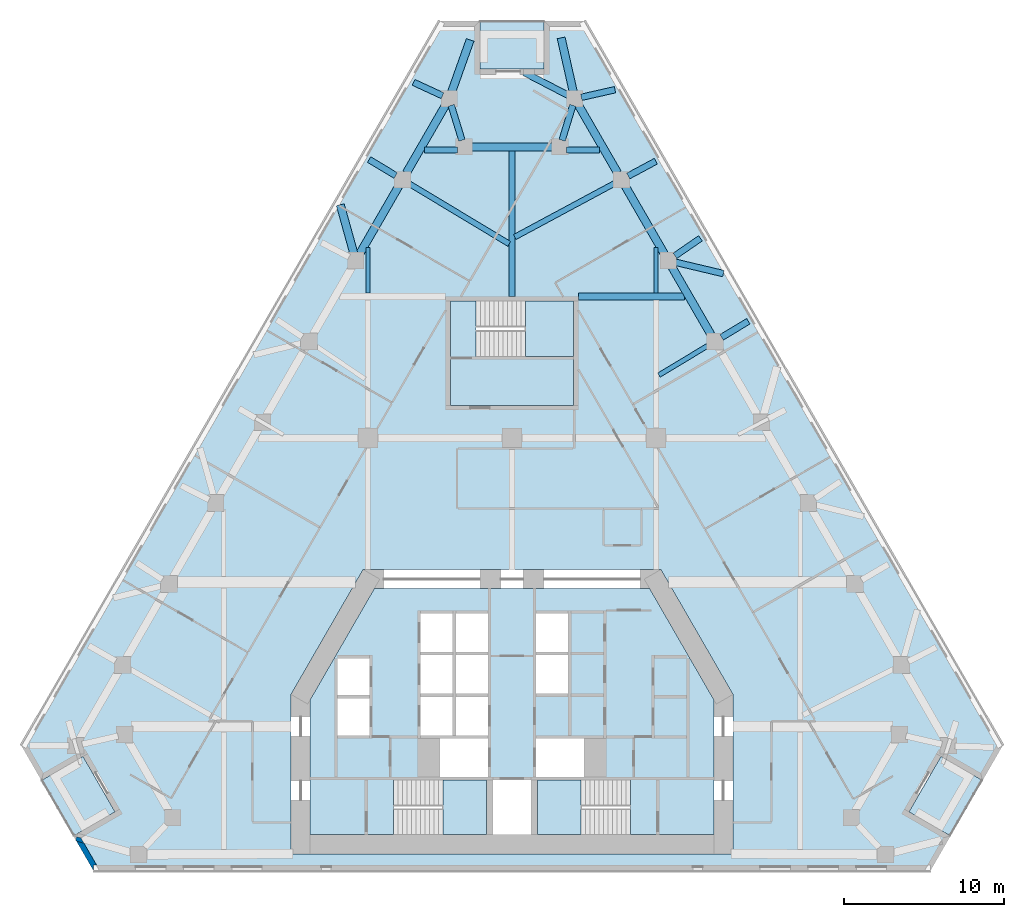
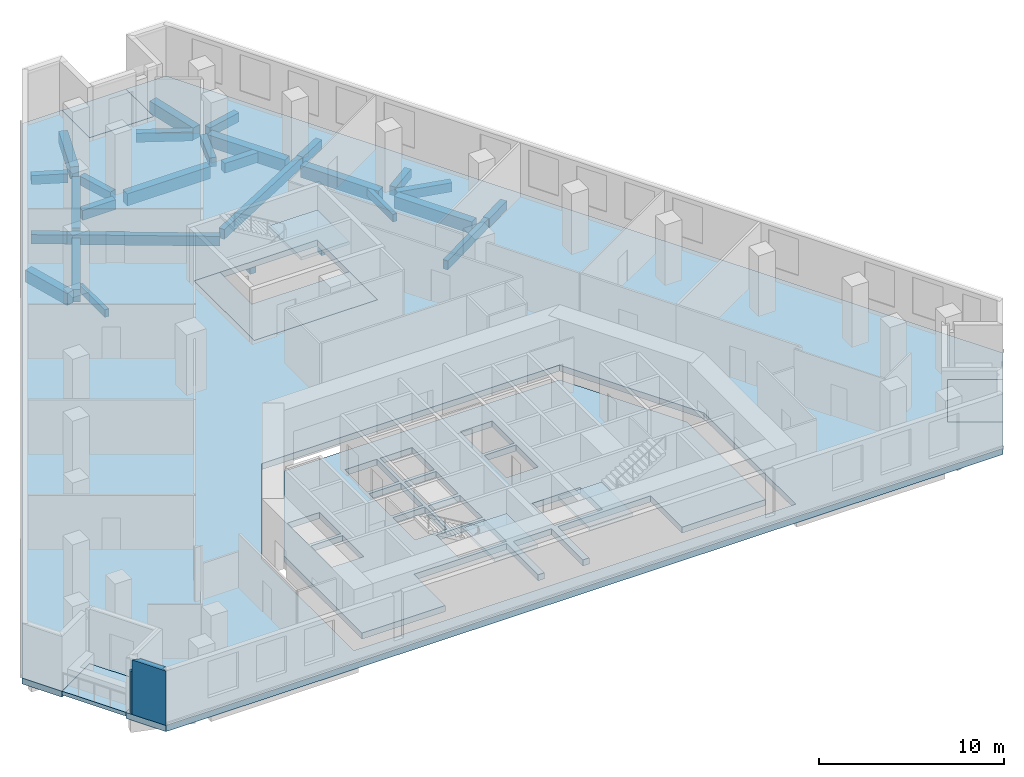
# One storey, part 2 of 9: 28 beams, 9 slabs, 2 walls, 3 elements without a shape of their own.
"""IFC4 building model written with IfcOpenShell, lengths in metres."""

from ifc_helpers import new_model, si_unit, direction, frame, origin, origin_2d, place, context, subcontext, project, spatial, polyline, rectangle, outline, extrude, material, layer, layer_set, material_profile, profile_set, type_object, element, aggregate, save


model = new_model("IFC4")

# Units and contexts
model_context = context("Model", 3, precision=1e-05, world=origin(), true_north=direction((0.0, 1.0)))
body_context = subcontext(model_context, "Body", "Model", "MODEL_VIEW")
ifc_project = project(units=[si_unit("LENGTHUNIT", "METRE"), si_unit("AREAUNIT", "SQUARE_METRE"), si_unit("VOLUMEUNIT", "CUBIC_METRE"), si_unit("PLANEANGLEUNIT", "RADIAN"), si_unit("MASSUNIT", "GRAM", prefix="KILO")], contexts=[model_context])

# Site, building, storey
site_placement = place(None, origin())
site = spatial("IfcSite", under=ifc_project, at=site_placement, CompositionType="ELEMENT")
building_placement = place(site_placement, origin())
building = spatial("IfcBuilding", under=site, at=building_placement, Name="Fogline Exchange Tower", CompositionType="ELEMENT")
storey_placement = place(building_placement, frame((0.0, 0.0, 104.10009765625)))
storey = spatial("IfcBuildingStorey", under=building, at=storey_placement, Name="L22", CompositionType="ELEMENT", Elevation=104.10009765625)

# Beams
ifc_material_1 = material(Name="Concrete C40", Category="concrete")
ifc_material_profile_1 = material_profile(ifc_material_1, rectangle(XDim=0.300048828125, YDim=0.60009765625, at=origin_2d()), Name="RC 300x600")
ifc_profile_set_1 = profile_set([ifc_material_profile_1], Name="Concrete C40")
beam_type_1 = type_object("IfcBeamType", Name="B06", PredefinedType="BEAM", material=ifc_profile_set_1)
beam_1_placement = place(storey_placement, frame((13.195068359375, 33.3623046875, -0.7001953125), z_axis=(-0.856403380279, -0.516307321513, 0.0), x_axis=(0.516307321513, -0.856403380279, 0.0)))
element("IfcBeam", 1, at=beam_1_placement, inside=storey, type_object=beam_type_1, Name="SK018", PredefinedType="BEAM", context=body_context, shape_type="SweptSolid", body=[
    extrude(rectangle(XDim=0.300048828125, YDim=0.60009765625, at=origin_2d()), origin(), (0.0, 0.0, 1.0), 4.694091796875),
])
ifc_material_profile_2 = material_profile(ifc_material_1, rectangle(XDim=0.25, YDim=0.5, at=origin_2d()), Name="RC 250x500")
ifc_profile_set_2 = profile_set([ifc_material_profile_2], Name="Concrete C40")
beam_type_2 = type_object("IfcBeamType", Name="B08", PredefinedType="BEAM", material=ifc_profile_set_2)
for number, where, z_axis, x_axis, name in (
    (2, (-9.0, 36.08203125, -0.650146484375), (0.0, 1.0, 0.0), (-1.0, 0.0, 0.0), "SB006"),
    (3, (9.0, 36.08203125, -0.650146484375), (0.0, 1.0, 0.0), (-1.0, 0.0, 0.0), "SB011"),
):
    element("IfcBeam", number, at=place(storey_placement, frame(where, z_axis=z_axis, x_axis=x_axis)), inside=storey, type_object=beam_type_2, Name=name, PredefinedType="BEAM", context=body_context, shape_type="SweptSolid", body=[
        extrude(rectangle(XDim=0.25, YDim=0.5, at=origin_2d()), origin(), (0.0, 0.0, 1.0), 2.8203125),
    ])
ifc_material_profile_3 = material_profile(ifc_material_1, rectangle(XDim=0.5, YDim=0.800048828125, at=origin_2d()), Name="RC 500x800")
ifc_profile_set_3 = profile_set([ifc_material_profile_3], Name="Concrete C40")
beam_type_3 = type_object("IfcBeamType", Name="B10", PredefinedType="BEAM", material=ifc_profile_set_3)
beam_2_placement = place(storey_placement, frame((12.427001953125, 33.466796875, -0.800048828125), z_axis=(-0.500008041581, 0.866020760926, 0.0), x_axis=(-0.866020760926, -0.500008041581, 0.0)))
element("IfcBeam", 4, at=beam_2_placement, inside=storey, type_object=beam_type_3, Name="RB014", PredefinedType="BEAM", context=body_context, shape_type="SweptSolid", body=[
    extrude(rectangle(XDim=0.5, YDim=0.800048828125, at=origin_2d()), origin(), (0.0, 0.0, 1.0), 4.859375),
])
for number, where, z_axis, x_axis, name in (
    (5, (9.510986328125, 38.51708984375, -0.800048828125), (-0.499970359091, 0.866042516295, 0.0), (-0.866042516295, -0.499970359091, 0.0), "RB015"),
    (6, (6.59521484375, 43.5673828125, -0.800048828125), (-0.499970359091, 0.866042516295, 0.0), (-0.866042516295, -0.499970359091, 0.0), "RB016"),
):
    element("IfcBeam", number, at=place(storey_placement, frame(where, z_axis=z_axis, x_axis=x_axis)), inside=storey, type_object=beam_type_3, Name=name, PredefinedType="BEAM", context=body_context, shape_type="SweptSolid", body=[
        extrude(rectangle(XDim=0.5, YDim=0.800048828125, at=origin_2d()), origin(), (0.0, 0.0, 1.0), 4.859130859375),
    ])
beam_3_placement = place(storey_placement, frame((2.594970703125, 45.19677734375, -0.800048828125), z_axis=(-1.0, 0.0, 0.0), x_axis=(0.0, -1.0, 0.0)))
element("IfcBeam", 7, at=beam_3_placement, inside=storey, type_object=beam_type_3, Name="RB018", PredefinedType="BEAM", context=body_context, shape_type="SweptSolid", body=[
    extrude(rectangle(XDim=0.5, YDim=0.800048828125, at=origin_2d()), origin(), (0.0, 0.0, 1.0), 5.18994140625),
])
for number, where, z_axis, x_axis, name in (
    (8, (-4.165771484375, 47.775634765625, -0.800048828125), (-0.499970359091, -0.866042516295, 0.0), (0.866042516295, -0.499970359091, 0.0), "RB020"),
    (9, (-7.08154296875, 42.725341796875, -0.800048828125), (-0.499970359091, -0.866042516295, 0.0), (0.866042516295, -0.499970359091, 0.0), "RB021"),
):
    element("IfcBeam", number, at=place(storey_placement, frame(where, z_axis=z_axis, x_axis=x_axis)), inside=storey, type_object=beam_type_3, Name=name, PredefinedType="BEAM", context=body_context, shape_type="SweptSolid", body=[
        extrude(rectangle(XDim=0.5, YDim=0.800048828125, at=origin_2d()), origin(), (0.0, 0.0, 1.0), 4.859130859375),
    ])
beam_4_placement = place(storey_placement, frame((-3.77587890625, 48.608642578125, -0.800048828125), z_axis=(0.335684205637, 0.941974582505, 0.0), x_axis=(-0.941974582505, 0.335684205637, 0.0)))
element("IfcBeam", 10, at=beam_4_placement, inside=storey, type_object=beam_type_3, Name="SP028", PredefinedType="BEAM", context=body_context, shape_type="SweptSolid", body=[
    extrude(rectangle(XDim=0.5, YDim=0.800048828125, at=origin_2d()), origin(), (0.0, 0.0, 1.0), 3.462646484375),
])
beam_5_placement = place(storey_placement, frame((3.831298828125, 48.6044921875, -0.800048828125), z_axis=(-0.218823104655, 0.975764545815, 0.0), x_axis=(-0.975764545815, -0.218823104655, 0.0)))
element("IfcBeam", 11, at=beam_5_placement, inside=storey, type_object=beam_type_3, Name="SP029", PredefinedType="BEAM", context=body_context, shape_type="SweptSolid", body=[
    extrude(rectangle(XDim=0.5, YDim=0.800048828125, at=origin_2d()), origin(), (0.0, 0.0, 1.0), 3.482177734375),
])
beam_6_placement = place(storey_placement, frame((-9.8681640625, 38.50537109375, -0.800048828125), z_axis=(-0.267865092627, 0.963456429815, 0.0), x_axis=(-0.963456429815, -0.267865092627, 0.0)))
element("IfcBeam", 12, at=beam_6_placement, inside=storey, type_object=beam_type_3, Name="SP056", PredefinedType="BEAM", context=body_context, shape_type="SweptSolid", body=[
    extrude(rectangle(XDim=0.5, YDim=0.800048828125, at=origin_2d()), origin(), (0.0, 0.0, 1.0), 3.187255859375),
])
ifc_material_profile_4 = material_profile(ifc_material_1, rectangle(XDim=0.39990234375, YDim=0.60009765625, at=origin_2d()), Name="RC 400x600")
ifc_profile_set_4 = profile_set([ifc_material_profile_4], Name="Concrete C40")
beam_type_4 = type_object("IfcBeamType", Name="B11", PredefinedType="BEAM", material=ifc_profile_set_4)
for number, where, z_axis, x_axis, name in (
    (13, (3.79638671875, 47.786376953125, -0.7001953125), (-0.293912792425, -0.9558322397, 0.0), (0.9558322397, -0.293912792425, 0.0), "RB017"),
    (14, (-3.126220703125, 45.60693359375, -0.7001953125), (-0.293912792425, 0.9558322397, 0.0), (-0.9558322397, -0.293912792425, 0.0), "RB019"),
):
    element("IfcBeam", number, at=place(storey_placement, frame(where, z_axis=z_axis, x_axis=x_axis)), inside=storey, type_object=beam_type_4, Name=name, PredefinedType="BEAM", context=body_context, shape_type="SweptSolid", body=[
        extrude(rectangle(XDim=0.39990234375, YDim=0.60009765625, at=origin_2d()), origin(), (0.0, 0.0, 1.0), 2.2802734375),
    ])
beam_7_placement = place(storey_placement, frame((3.504150390625, 48.4140625, -0.7001953125), z_axis=(-0.887487365709, 0.460832047179, 0.0), x_axis=(-0.460832047179, -0.887487365709, 0.0)))
element("IfcBeam", 15, at=beam_7_placement, inside=storey, type_object=beam_type_4, Name="SP034", PredefinedType="BEAM", context=body_context, shape_type="SweptSolid", body=[
    extrude(rectangle(XDim=0.39990234375, YDim=0.60009765625, at=origin_2d()), origin(), (0.0, 0.0, 1.0), 3.0859375),
])
beam_8_placement = place(storey_placement, frame((-7.260498046875, 43.400390625, -0.7001953125), z_axis=(-0.856760264747, 0.515714890953, 0.0), x_axis=(-0.515714890953, -0.856760264747, 0.0)))
element("IfcBeam", 16, at=beam_8_placement, inside=storey, type_object=beam_type_4, Name="SP038", PredefinedType="BEAM", context=body_context, shape_type="SweptSolid", body=[
    extrude(rectangle(XDim=0.39990234375, YDim=0.60009765625, at=origin_2d()), origin(), (0.0, 0.0, 1.0), 1.94287109375),
])
beam_9_placement = place(storey_placement, frame((13.09228515625, 33.30029296875, -0.7001953125), z_axis=(0.85640422403, 0.516305921972, 0.0), x_axis=(-0.516305921972, 0.85640422403, 0.0)))
element("IfcBeam", 17, at=beam_9_placement, inside=storey, type_object=beam_type_4, Name="SP039", PredefinedType="BEAM", context=body_context, shape_type="SweptSolid", body=[
    extrude(rectangle(XDim=0.39990234375, YDim=0.60009765625, at=origin_2d()), origin(), (0.0, 0.0, 1.0), 1.942626953125),
])
beam_10_placement = place(storey_placement, frame((7.2578125, 43.371826171875, -0.7001953125), z_axis=(0.880782843366, 0.473520414377, 0.0), x_axis=(-0.473520414377, 0.880782843366, 0.0)))
element("IfcBeam", 18, at=beam_10_placement, inside=storey, type_object=beam_type_4, Name="SP040", PredefinedType="BEAM", context=body_context, shape_type="SweptSolid", body=[
    extrude(rectangle(XDim=0.39990234375, YDim=0.60009765625, at=origin_2d()), origin(), (0.0, 0.0, 1.0), 1.960205078125),
])
beam_11_placement = place(storey_placement, frame((10.180419921875, 38.389404296875, -0.7001953125), z_axis=(0.823553636513, 0.567238404718, 0.0), x_axis=(-0.567238404718, 0.823553636513, 0.0)))
element("IfcBeam", 19, at=beam_11_placement, inside=storey, type_object=beam_type_4, Name="SP048", PredefinedType="BEAM", context=body_context, shape_type="SweptSolid", body=[
    extrude(rectangle(XDim=0.39990234375, YDim=0.60009765625, at=origin_2d()), origin(), (0.0, 0.0, 1.0), 1.927001953125),
])
beam_12_placement = place(storey_placement, frame((-4.338623046875, 48.388671875, -0.7001953125), z_axis=(-0.908095838529, 0.418762400468, 0.0), x_axis=(-0.418762400468, -0.908095838529, 0.0)))
element("IfcBeam", 20, at=beam_12_placement, inside=storey, type_object=beam_type_4, Name="SP049", PredefinedType="BEAM", context=body_context, shape_type="SweptSolid", body=[
    extrude(rectangle(XDim=0.39990234375, YDim=0.60009765625, at=origin_2d()), origin(), (0.0, 0.0, 1.0), 1.9892578125),
])
beam_13_placement = place(storey_placement, frame((10.16259765625, 37.9990234375, -0.7001953125), z_axis=(0.9729539382, -0.230999208095, 0.0), x_axis=(0.230999208095, 0.9729539382, 0.0)))
element("IfcBeam", 21, at=beam_13_placement, inside=storey, type_object=beam_type_4, Name="SP054", PredefinedType="BEAM", context=body_context, shape_type="SweptSolid", body=[
    extrude(rectangle(XDim=0.39990234375, YDim=0.60009765625, at=origin_2d()), origin(), (0.0, 0.0, 1.0), 3.11669921875),
])
beam_14_placement = place(storey_placement, frame((4.33056640625, 48.288818359375, -0.7001953125), z_axis=(0.975402518888, 0.220431227704, 0.0), x_axis=(-0.220431227704, 0.975402518888, 0.0)))
element("IfcBeam", 22, at=beam_14_placement, inside=storey, type_object=beam_type_4, Name="SP060", PredefinedType="BEAM", context=body_context, shape_type="SweptSolid", body=[
    extrude(rectangle(XDim=0.39990234375, YDim=0.60009765625, at=origin_2d()), origin(), (0.0, 0.0, 1.0), 2.1552734375),
])
ifc_material_profile_5 = material_profile(ifc_material_1, rectangle(XDim=0.39990234375, YDim=0.64990234375, at=origin_2d()), Name="RC 400x650")
ifc_profile_set_5 = profile_set([ifc_material_profile_5], Name="Concrete C40")
beam_type_5 = type_object("IfcBeamType", Name="B13", PredefinedType="BEAM", material=ifc_profile_set_5)
for number, where, z_axis, x_axis, name in (
    (23, (-5.4794921875, 45.0, -0.72509765625), (1.0, 0.0, 0.0), (0.0, 1.0, 0.0), "GB011"),
    (24, (3.405029296875, 45.0, -0.72509765625), (1.0, 0.0, 0.0), (0.0, 1.0, 0.0), "GB012"),
):
    element("IfcBeam", number, at=place(storey_placement, frame(where, z_axis=z_axis, x_axis=x_axis)), inside=storey, type_object=beam_type_5, Name=name, PredefinedType="BEAM", context=body_context, shape_type="SweptSolid", body=[
        extrude(rectangle(XDim=0.39990234375, YDim=0.64990234375, at=origin_2d()), origin(), (0.0, 0.0, 1.0), 2.074462890625),
    ])
ifc_material_profile_6 = material_profile(ifc_material_1, rectangle(XDim=0.35009765625, YDim=0.64990234375, at=origin_2d()), Name="RC 350x650")
ifc_profile_set_6 = profile_set([ifc_material_profile_6], Name="Concrete C40")
beam_type_6 = type_object("IfcBeamType", Name="B16", PredefinedType="BEAM", material=ifc_profile_set_6)
beam_15_placement = place(storey_placement, frame((0.0, 35.85693359375, -0.72509765625), z_axis=(0.0, 1.0, 0.0), x_axis=(-1.0, 0.0, 0.0)))
element("IfcBeam", 25, at=beam_15_placement, inside=storey, type_object=beam_type_6, Name="SB008", PredefinedType="BEAM", context=body_context, shape_type="SweptSolid", body=[
    extrude(rectangle(XDim=0.35009765625, YDim=0.64990234375, at=origin_2d()), origin(), (0.0, 0.0, 1.0), 9.08984375),
])
beam_16_placement = place(storey_placement, frame((-7.36328125, 43.46240234375, -0.72509765625), z_axis=(0.85674487674, -0.515740454279, 0.0), x_axis=(0.515740454279, 0.85674487674, 0.0)))
element("IfcBeam", 26, at=beam_16_placement, inside=storey, type_object=beam_type_6, Name="SK017", PredefinedType="BEAM", context=body_context, shape_type="SweptSolid", body=[
    extrude(rectangle(XDim=0.35009765625, YDim=0.64990234375, at=origin_2d()), origin(), (0.0, 0.0, 1.0), 8.39013671875),
])
beam_17_placement = place(storey_placement, frame((7.36328125, 43.4287109375, -0.72509765625), z_axis=(-0.880757180515, -0.47356814607, 0.0), x_axis=(0.47356814607, -0.880757180515, 0.0)))
element("IfcBeam", 27, at=beam_17_placement, inside=storey, type_object=beam_type_6, Name="SK019", PredefinedType="BEAM", context=body_context, shape_type="SweptSolid", body=[
    extrude(rectangle(XDim=0.35009765625, YDim=0.64990234375, at=origin_2d()), origin(), (0.0, 0.0, 1.0), 8.161376953125),
])
ifc_material_profile_7 = material_profile(ifc_material_1, rectangle(XDim=0.449951171875, YDim=0.800048828125, at=origin_2d()), Name="RC 450x800")
ifc_profile_set_7 = profile_set([ifc_material_profile_7], Name="Concrete C40")
beam_type_7 = type_object("IfcBeamType", Name="B18", PredefinedType="BEAM", material=ifc_profile_set_7)
beam_18_placement = place(storey_placement, frame((4.14990234375, 35.85693359375, -0.800048828125), z_axis=(1.0, 0.0, 0.0), x_axis=(0.0, 1.0, 0.0)))
element("IfcBeam", 28, at=beam_18_placement, inside=storey, type_object=beam_type_7, Name="GB010", PredefinedType="BEAM", context=body_context, shape_type="SweptSolid", body=[
    extrude(rectangle(XDim=0.449951171875, YDim=0.800048828125, at=origin_2d()), origin(), (0.0, 0.0, 1.0), 6.6083984375),
])

# Slabs
ifc_layer_1 = layer(ifc_material_1, 0.25)
ifc_layer_set_1 = layer_set([ifc_layer_1], Name="DK1")
slab_type_1 = type_object("IfcSlabType", Name="DK1", PredefinedType="FLOOR", material=ifc_layer_set_1)
slab_1_placement = place(storey_placement, frame((0.0, 0.0, -0.25)))
element("IfcSlab", 29, at=slab_1_placement, inside=storey, type_object=slab_type_1, Name="Balcony L22 SW", PredefinedType="FLOOR", context=body_context, shape_type="SweptSolid", body=[
    extrude(outline(polyline([(-29.387939453125, 5.629150390625), (-27.387939453125, 2.1650390625), (-24.7900390625, 3.6650390625), (-26.7900390625, 7.129150390625), (-29.387939453125, 5.629150390625)])), origin(), (0.0, 0.0, 1.0), 0.25),
])
slab_2_placement = place(storey_placement, frame((0.0, 0.0, -0.25)))
element("IfcSlab", 30, at=slab_2_placement, inside=storey, type_object=slab_type_1, Name="Balcony L22 SE", PredefinedType="FLOOR", context=body_context, shape_type="SweptSolid", body=[
    extrude(outline(polyline([(27.387939453125, 2.1650390625), (29.387939453125, 5.629150390625), (26.7900390625, 7.129150390625), (24.7900390625, 3.6650390625), (27.387939453125, 2.1650390625)])), origin(), (0.0, 0.0, 1.0), 0.25),
])
slab_3_placement = place(storey_placement, frame((0.0, 0.0, -0.25)))
element("IfcSlab", 31, at=slab_3_placement, inside=storey, type_object=slab_type_1, Name="Balcony L22 N", PredefinedType="FLOOR", context=body_context, shape_type="SweptSolid", body=[
    extrude(outline(polyline([(2.0, 53.066650390625), (-2.0, 53.066650390625), (-2.0, 50.066650390625), (2.0, 50.066650390625), (2.0, 53.066650390625)])), origin(), (0.0, 0.0, 1.0), 0.25),
])
ifc_layer_2 = layer(ifc_material_1, 0.39990234375)
ifc_layer_set_2 = layer_set([ifc_layer_2], Name="S03")
slab_type_2 = type_object("IfcSlabType", Name="S03", PredefinedType="FLOOR", material=ifc_layer_set_2)
slab_4_placement = place(storey_placement, frame((0.0, 0.0, -0.400146484375)))
element("IfcSlab", 32, at=slab_4_placement, inside=storey, type_object=slab_type_2, Name="SLAB L22", PredefinedType="FLOOR", context=body_context, shape_type="SweptSolid", body=[
    extrude(outline(polyline([(-2.0, 53.066650390625), (-4.5, 53.066650390625), (-30.637939453125, 7.794189453125), (-29.387939453125, 5.629150390625), (-26.7900390625, 7.129150390625), (-24.7900390625, 3.6650390625), (-27.387939453125, 2.1650390625), (-26.137939453125, 0.0), (26.137939453125, 0.0), (27.387939453125, 2.1650390625), (24.7900390625, 3.6650390625), (26.7900390625, 7.129150390625), (29.387939453125, 5.629150390625), (30.637939453125, 7.794189453125), (4.5, 53.066650390625), (2.0, 53.066650390625), (2.0, 50.066650390625), (-2.0, 50.066650390625), (-2.0, 53.066650390625)]), holes=[polyline([(13.800048828125, 10.9990234375), (13.800048828125, 1.050048828125), (-13.800048828125, 1.050048828125), (-13.800048828125, 10.9990234375), (-9.296142578125, 18.800048828125), (9.296142578125, 18.800048828125), (13.800048828125, 10.9990234375)]), polyline([(3.85009765625, 35.556884765625), (3.85009765625, 29.056884765625), (-3.85009765625, 29.056884765625), (-3.85009765625, 35.556884765625), (3.85009765625, 35.556884765625)])]), origin(), (0.0, 0.0, 1.0), 0.400146484375),
])
slab_5_placement = place(storey_placement, frame((0.0, 0.0, -0.400146484375)))
element("IfcSlab", 33, at=slab_5_placement, inside=storey, type_object=slab_type_2, Name="Core floor slab", PredefinedType="FLOOR", context=body_context, shape_type="SweptSolid", body=[
    extrude(outline(polyline([(-12.60009765625, 2.25), (-12.60009765625, 10.677490234375), (-8.603271484375, 17.60009765625), (8.603271484375, 17.60009765625), (12.60009765625, 10.677490234375), (12.60009765625, 2.25), (7.389892578125, 2.25), (7.389892578125, 5.64990234375), (1.60009765625, 5.64990234375), (1.60009765625, 2.25), (1.199951171875, 2.25), (1.199951171875, 5.64990234375), (-1.199951171875, 5.64990234375), (-1.199951171875, 2.25), (-1.60009765625, 2.25), (-1.60009765625, 5.64990234375), (-7.389892578125, 5.64990234375), (-7.389892578125, 2.25), (-12.60009765625, 2.25)]), holes=[polyline([(-1.5, 8.25), (-4.5, 8.25), (-4.5, 5.85009765625), (-1.5, 5.85009765625), (-1.5, 8.25)]), polyline([(-8.89990234375, 10.75), (-10.89990234375, 10.75), (-10.89990234375, 8.449951171875), (-8.89990234375, 8.449951171875), (-8.89990234375, 10.75)]), polyline([(-3.699951171875, 10.85009765625), (-5.699951171875, 10.85009765625), (-5.699951171875, 8.449951171875), (-3.699951171875, 8.449951171875), (-3.699951171875, 10.85009765625)]), polyline([(-1.5, 10.85009765625), (-3.5, 10.85009765625), (-3.5, 8.449951171875), (-1.5, 8.449951171875), (-1.5, 10.85009765625)]), polyline([(-8.89990234375, 13.25), (-10.89990234375, 13.25), (-10.89990234375, 10.949951171875), (-8.89990234375, 10.949951171875), (-8.89990234375, 13.25)]), polyline([(-3.699951171875, 13.449951171875), (-5.699951171875, 13.449951171875), (-5.699951171875, 11.050048828125), (-3.699951171875, 11.050048828125), (-3.699951171875, 13.449951171875)]), polyline([(-3.699951171875, 16.050048828125), (-5.699951171875, 16.050048828125), (-5.699951171875, 13.64990234375), (-3.699951171875, 13.64990234375), (-3.699951171875, 16.050048828125)]), polyline([(4.5, 8.25), (1.5, 8.25), (1.5, 5.85009765625), (4.5, 5.85009765625), (4.5, 8.25)]), polyline([(-1.5, 13.449951171875), (-3.5, 13.449951171875), (-3.5, 11.050048828125), (-1.5, 11.050048828125), (-1.5, 13.449951171875)]), polyline([(3.5, 13.449951171875), (1.5, 13.449951171875), (1.5, 11.050048828125), (3.5, 11.050048828125), (3.5, 13.449951171875)]), polyline([(-1.5, 16.050048828125), (-3.5, 16.050048828125), (-3.5, 13.64990234375), (-1.5, 13.64990234375), (-1.5, 16.050048828125)]), polyline([(3.5, 16.050048828125), (1.5, 16.050048828125), (1.5, 13.64990234375), (3.5, 13.64990234375), (3.5, 16.050048828125)])]), origin(), (0.0, 0.0, 1.0), 0.400146484375),
])
slab_6_placement = place(storey_placement, frame((0.0, 0.0, -0.400146484375)))
element("IfcSlab", 34, at=slab_6_placement, inside=storey, type_object=slab_type_2, Name="Stair enclosure floor slab", PredefinedType="FLOOR", context=body_context, shape_type="SweptSolid", body=[
    extrude(outline(polyline([(3.85009765625, 29.056884765625), (-3.85009765625, 29.056884765625), (-3.85009765625, 35.556884765625), (-2.239990234375, 35.556884765625), (-2.239990234375, 32.10693359375), (3.85009765625, 32.10693359375), (3.85009765625, 29.056884765625)])), origin(), (0.0, 0.0, 1.0), 0.400146484375),
])

# Stair, slab
stair_type = type_object("IfcStairType", Name="STR24-1667", PredefinedType="HALF_TURN_STAIR", material=ifc_material_1)
stair_1_placement = place(storey_placement, origin())
stair_1 = element("IfcStair", 35, at=stair_1_placement, inside=storey, type_object=stair_type, Name="Stair ST1", PredefinedType="HALF_TURN_STAIR")
ifc_layer_3 = layer(ifc_material_1, 0.199951171875)
ifc_layer_set_3 = layer_set([ifc_layer_3], Name="SL200")
slab_type_3 = type_object("IfcSlabType", Name="SL200", PredefinedType="LANDING", material=ifc_layer_set_3)
slab_7_placement = place(storey_placement, frame((0.0, 0.0, 1.7998046875)))
slab_7 = element("IfcSlab", 36, at=slab_7_placement, type_object=slab_type_3, Name="ST1 landing 1", PredefinedType="LANDING", context=body_context, shape_type="SweptSolid", body=[
    extrude(outline(polyline([(-4.320068359375, 2.25), (-1.60009765625, 2.25), (-1.60009765625, 5.64990234375), (-4.320068359375, 5.64990234375), (-4.320068359375, 2.25)])), origin(), (0.0, 0.0, 1.0), 0.2001953125),
])
aggregate(stair_1, [slab_7])

stair_2_placement = place(storey_placement, origin())
stair_2 = element("IfcStair", 37, at=stair_2_placement, inside=storey, type_object=stair_type, Name="Stair ST2", PredefinedType="HALF_TURN_STAIR")
slab_8_placement = place(storey_placement, frame((0.0, 0.0, 1.7998046875)))
slab_8 = element("IfcSlab", 38, at=slab_8_placement, type_object=slab_type_3, Name="ST2 landing 1", PredefinedType="LANDING", context=body_context, shape_type="SweptSolid", body=[
    extrude(outline(polyline([(1.60009765625, 2.25), (4.320068359375, 2.25), (4.320068359375, 5.64990234375), (1.60009765625, 5.64990234375), (1.60009765625, 2.25)])), origin(), (0.0, 0.0, 1.0), 0.2001953125),
])
aggregate(stair_2, [slab_8])

stair_3_placement = place(storey_placement, origin())
stair_3 = element("IfcStair", 39, at=stair_3_placement, inside=storey, type_object=stair_type, Name="Stair ST3", PredefinedType="HALF_TURN_STAIR")
slab_9_placement = place(storey_placement, frame((0.0, 0.0, 1.7998046875)))
slab_9 = element("IfcSlab", 40, at=slab_9_placement, type_object=slab_type_3, Name="ST3 landing 1", PredefinedType="LANDING", context=body_context, shape_type="SweptSolid", body=[
    extrude(outline(polyline([(0.830078125, 32.10693359375), (3.85009765625, 32.10693359375), (3.85009765625, 35.556884765625), (0.830078125, 35.556884765625), (0.830078125, 32.10693359375)])), origin(), (0.0, 0.0, 1.0), 0.2001953125),
])
aggregate(stair_3, [slab_9])

# Walls
ifc_material_2 = material(Name="Brick masonry", Category="masonry")
ifc_layer_4 = layer(ifc_material_2, 0.340087890625)
ifc_layer_set_4 = layer_set([ifc_layer_4], Name="FW1")
wall_type = type_object("IfcWallType", Name="FW1", PredefinedType="SOLIDWALL", material=ifc_layer_set_4)
wall_1_placement = place(storey_placement, origin())
element("IfcWall", 41, at=wall_1_placement, inside=storey, type_object=wall_type, Name="Brick wall L22 SW-c2", PredefinedType="SOLIDWALL", context=body_context, shape_type="SweptSolid", body=[
    extrude(outline(polyline([(-27.248291015625, 1.921875), (-27.194091796875, 2.11376953125), (-26.923095703125, 2.041015625), (-26.728271484375, 1.70361328125), (-27.19921875, 1.8369140625), (-27.248291015625, 1.921875)])), origin(), (0.0, 0.0, 1.0), 2.7998046875),
])
wall_2_placement = place(storey_placement, origin())
element("IfcWall", 42, at=wall_2_placement, inside=storey, type_object=wall_type, Name="Brick wall L22 SW-c2", PredefinedType="SOLIDWALL", context=body_context, shape_type="SweptSolid", body=[
    extrude(outline(polyline([(-26.137451171875, 0.33935546875), (-26.137451171875, -0.0009765625), (-26.137939453125, -0.001220703125), (-27.19921875, 1.8369140625), (-26.728271484375, 1.70361328125), (-25.940673828125, 0.33935546875), (-26.137451171875, 0.33935546875)])), origin(), (0.0, 0.0, 1.0), 3.599853515625),
])

save(model, "model.ifc")
